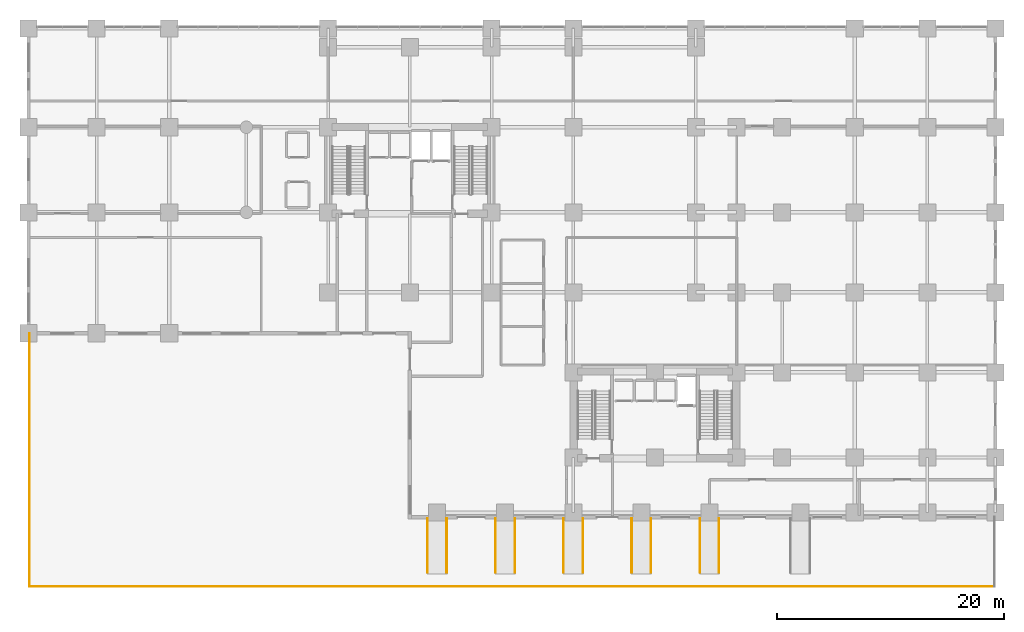
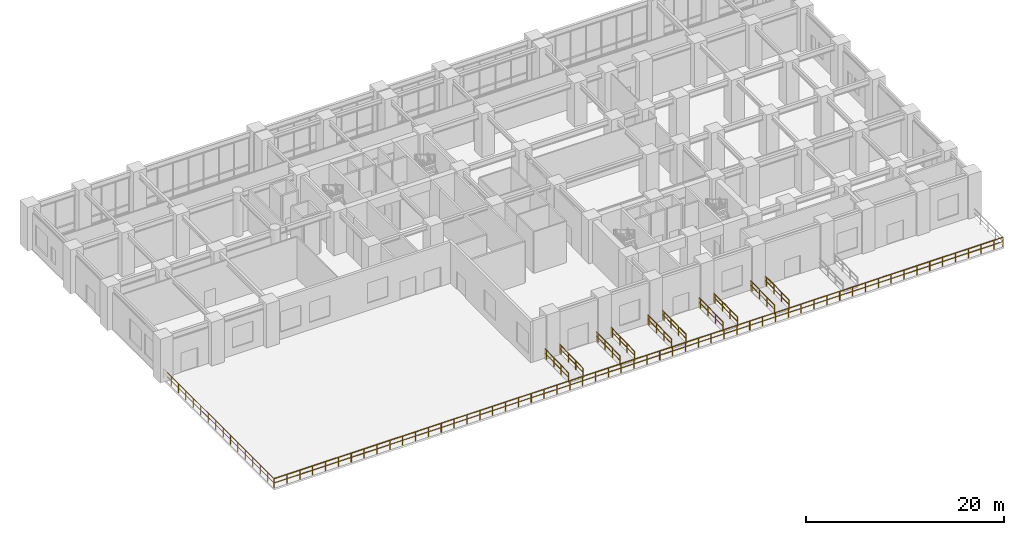
# One storey, part 19 of 22: 12 railings, 5 elements without a shape of their own.
"""IFC4 building model written with IfcOpenShell, lengths in metres."""

from ifc_helpers import new_model, si_unit, direction, frame, origin, origin_2d, place, context, subcontext, project, spatial, rectangle, extrude, material, type_object, element, aggregate, save


model = new_model("IFC4")

# Units and contexts
model_context = context("Model", 3, precision=1e-05, world=origin(), true_north=direction((0.0, 1.0)))
body_context = subcontext(model_context, "Body", "Model", "MODEL_VIEW")
ifc_project = project(units=[si_unit("LENGTHUNIT", "METRE"), si_unit("AREAUNIT", "SQUARE_METRE"), si_unit("VOLUMEUNIT", "CUBIC_METRE"), si_unit("PLANEANGLEUNIT", "RADIAN"), si_unit("MASSUNIT", "GRAM", prefix="KILO")], contexts=[model_context])

# Site, building, storey
site_placement = place(None, origin())
site = spatial("IfcSite", under=ifc_project, at=site_placement, CompositionType="ELEMENT")
building_placement = place(site_placement, origin())
building = spatial("IfcBuilding", under=site, at=building_placement, Name="Kaliganga Portal Commons", CompositionType="ELEMENT")
storey_placement = place(building_placement, origin())
storey = spatial("IfcBuildingStorey", under=building, at=storey_placement, Name="L00", CompositionType="ELEMENT", Elevation=0.0)

# Railings
ifc_material_1 = material(Name="Laminated Safety Glass and Stainless Steel 316", Category="steel")
railing_type_1 = type_object("IfcRailingType", Name="RLG-BAL-1150", PredefinedType="BALUSTRADE", material=ifc_material_1)
railing_1_placement = place(storey_placement, frame((-11.919921875, 18.0, -0.10009765625)))
element("IfcRailing", 1, at=railing_1_placement, inside=storey, type_object=railing_type_1, Name="Terrace Guardrail L00 promenade-01-1", PredefinedType="BALUSTRADE", context=body_context, shape_type="SweptSolid", body=[
    extrude(rectangle(XDim=0.048095703125, YDim=0.048095703125, at=origin_2d()), frame((0.0, 0.0, 1.1259765625), z_axis=(0.0, -1.0, 0.0), x_axis=(1.0, 0.0, 0.0)), (0.0, 0.0, 1.0), 22.320068359375),
    extrude(rectangle(XDim=0.028076171875, YDim=0.028076171875, at=origin_2d()), frame((0.0, 0.0, 0.597900390625), z_axis=(0.0, -1.0, 0.0), x_axis=(1.0, 0.0, 0.0)), (0.0, 0.0, 1.0), 22.320068359375),
    extrude(rectangle(XDim=0.0419921875, YDim=0.0419921875, at=origin_2d()), origin(), (0.0, 0.0, 1.0), 1.101806640625),
    extrude(rectangle(XDim=0.0419921875, YDim=0.0419921875, at=origin_2d()), frame((0.0, -1.5, 0.0)), (0.0, 0.0, 1.0), 1.101806640625),
    extrude(rectangle(XDim=0.0419921875, YDim=0.0419921875, at=origin_2d()), frame((0.0, -3.0, 0.0)), (0.0, 0.0, 1.0), 1.101806640625),
    extrude(rectangle(XDim=0.0419921875, YDim=0.0419921875, at=origin_2d()), frame((0.0, -4.5, 0.0)), (0.0, 0.0, 1.0), 1.101806640625),
    extrude(rectangle(XDim=0.0419921875, YDim=0.0419921875, at=origin_2d()), frame((0.0, -6.0, 0.0)), (0.0, 0.0, 1.0), 1.101806640625),
    extrude(rectangle(XDim=0.0419921875, YDim=0.0419921875, at=origin_2d()), frame((0.0, -7.5, 0.0)), (0.0, 0.0, 1.0), 1.101806640625),
    extrude(rectangle(XDim=0.0419921875, YDim=0.0419921875, at=origin_2d()), frame((0.0, -9.0, 0.0)), (0.0, 0.0, 1.0), 1.101806640625),
    extrude(rectangle(XDim=0.0419921875, YDim=0.0419921875, at=origin_2d()), frame((0.0, -10.5, 0.0)), (0.0, 0.0, 1.0), 1.101806640625),
    extrude(rectangle(XDim=0.0419921875, YDim=0.0419921875, at=origin_2d()), frame((0.0, -12.0, 0.0)), (0.0, 0.0, 1.0), 1.101806640625),
    extrude(rectangle(XDim=0.0419921875, YDim=0.0419921875, at=origin_2d()), frame((0.0, -13.5, 0.0)), (0.0, 0.0, 1.0), 1.101806640625),
    extrude(rectangle(XDim=0.0419921875, YDim=0.0419921875, at=origin_2d()), frame((0.0, -15.0, 0.0)), (0.0, 0.0, 1.0), 1.101806640625),
    extrude(rectangle(XDim=0.0419921875, YDim=0.0419921875, at=origin_2d()), frame((0.0, -16.5, 0.0)), (0.0, 0.0, 1.0), 1.101806640625),
    extrude(rectangle(XDim=0.0419921875, YDim=0.0419921875, at=origin_2d()), frame((0.0, -18.0, 0.0)), (0.0, 0.0, 1.0), 1.101806640625),
    extrude(rectangle(XDim=0.0419921875, YDim=0.0419921875, at=origin_2d()), frame((0.0, -19.5, 0.0)), (0.0, 0.0, 1.0), 1.101806640625),
    extrude(rectangle(XDim=0.0419921875, YDim=0.0419921875, at=origin_2d()), frame((0.0, -21.0, 0.0)), (0.0, 0.0, 1.0), 1.101806640625),
    extrude(rectangle(XDim=0.0419921875, YDim=0.0419921875, at=origin_2d()), frame((0.0, -22.320068359375, 0.0)), (0.0, 0.0, 1.0), 1.101806640625),
])
railing_2_placement = place(storey_placement, frame((-11.919921875, -4.320068359375, -0.10009765625)))
element("IfcRailing", 2, at=railing_2_placement, inside=storey, type_object=railing_type_1, Name="Terrace Guardrail L00 promenade-02-1", PredefinedType="BALUSTRADE", context=body_context, shape_type="SweptSolid", body=[
    extrude(rectangle(XDim=0.048095703125, YDim=0.048095703125, at=origin_2d()), frame((0.0, 0.0, 1.1259765625), z_axis=(1.0, 0.0, 0.0), x_axis=(0.0, 1.0, 0.0)), (0.0, 0.0, 1.0), 85.0400390625),
    extrude(rectangle(XDim=0.028076171875, YDim=0.028076171875, at=origin_2d()), frame((0.0, 0.0, 0.597900390625), z_axis=(1.0, 0.0, 0.0), x_axis=(0.0, 1.0, 0.0)), (0.0, 0.0, 1.0), 85.0400390625),
    extrude(rectangle(XDim=0.0419921875, YDim=0.0419921875, at=origin_2d()), origin(), (0.0, 0.0, 1.0), 1.101806640625),
    extrude(rectangle(XDim=0.0419921875, YDim=0.0419921875, at=origin_2d()), frame((1.5, 0.0, 0.0)), (0.0, 0.0, 1.0), 1.101806640625),
    extrude(rectangle(XDim=0.0419921875, YDim=0.0419921875, at=origin_2d()), frame((3.0, 0.0, 0.0)), (0.0, 0.0, 1.0), 1.101806640625),
    extrude(rectangle(XDim=0.0419921875, YDim=0.0419921875, at=origin_2d()), frame((4.5, 0.0, 0.0)), (0.0, 0.0, 1.0), 1.101806640625),
    extrude(rectangle(XDim=0.0419921875, YDim=0.0419921875, at=origin_2d()), frame((6.0, 0.0, 0.0)), (0.0, 0.0, 1.0), 1.101806640625),
    extrude(rectangle(XDim=0.0419921875, YDim=0.0419921875, at=origin_2d()), frame((7.5, 0.0, 0.0)), (0.0, 0.0, 1.0), 1.101806640625),
    extrude(rectangle(XDim=0.0419921875, YDim=0.0419921875, at=origin_2d()), frame((9.0, 0.0, 0.0)), (0.0, 0.0, 1.0), 1.101806640625),
    extrude(rectangle(XDim=0.0419921875, YDim=0.0419921875, at=origin_2d()), frame((10.5, 0.0, 0.0)), (0.0, 0.0, 1.0), 1.101806640625),
    extrude(rectangle(XDim=0.0419921875, YDim=0.0419921875, at=origin_2d()), frame((12.0, 0.0, 0.0)), (0.0, 0.0, 1.0), 1.101806640625),
    extrude(rectangle(XDim=0.0419921875, YDim=0.0419921875, at=origin_2d()), frame((13.5, 0.0, 0.0)), (0.0, 0.0, 1.0), 1.101806640625),
    extrude(rectangle(XDim=0.0419921875, YDim=0.0419921875, at=origin_2d()), frame((15.0, 0.0, 0.0)), (0.0, 0.0, 1.0), 1.101806640625),
    extrude(rectangle(XDim=0.0419921875, YDim=0.0419921875, at=origin_2d()), frame((16.5, 0.0, 0.0)), (0.0, 0.0, 1.0), 1.101806640625),
    extrude(rectangle(XDim=0.0419921875, YDim=0.0419921875, at=origin_2d()), frame((18.0, 0.0, 0.0)), (0.0, 0.0, 1.0), 1.101806640625),
    extrude(rectangle(XDim=0.0419921875, YDim=0.0419921875, at=origin_2d()), frame((19.5, 0.0, 0.0)), (0.0, 0.0, 1.0), 1.101806640625),
    extrude(rectangle(XDim=0.0419921875, YDim=0.0419921875, at=origin_2d()), frame((21.0, 0.0, 0.0)), (0.0, 0.0, 1.0), 1.101806640625),
    extrude(rectangle(XDim=0.0419921875, YDim=0.0419921875, at=origin_2d()), frame((22.5, 0.0, 0.0)), (0.0, 0.0, 1.0), 1.101806640625),
    extrude(rectangle(XDim=0.0419921875, YDim=0.0419921875, at=origin_2d()), frame((24.0, 0.0, 0.0)), (0.0, 0.0, 1.0), 1.101806640625),
    extrude(rectangle(XDim=0.0419921875, YDim=0.0419921875, at=origin_2d()), frame((25.5, 0.0, 0.0)), (0.0, 0.0, 1.0), 1.101806640625),
    extrude(rectangle(XDim=0.0419921875, YDim=0.0419921875, at=origin_2d()), frame((27.0, 0.0, 0.0)), (0.0, 0.0, 1.0), 1.101806640625),
    extrude(rectangle(XDim=0.0419921875, YDim=0.0419921875, at=origin_2d()), frame((28.5, 0.0, 0.0)), (0.0, 0.0, 1.0), 1.101806640625),
    extrude(rectangle(XDim=0.0419921875, YDim=0.0419921875, at=origin_2d()), frame((30.0, 0.0, 0.0)), (0.0, 0.0, 1.0), 1.101806640625),
    extrude(rectangle(XDim=0.0419921875, YDim=0.0419921875, at=origin_2d()), frame((31.5, 0.0, 0.0)), (0.0, 0.0, 1.0), 1.101806640625),
    extrude(rectangle(XDim=0.0419921875, YDim=0.0419921875, at=origin_2d()), frame((33.0, 0.0, 0.0)), (0.0, 0.0, 1.0), 1.101806640625),
    extrude(rectangle(XDim=0.0419921875, YDim=0.0419921875, at=origin_2d()), frame((34.5, 0.0, 0.0)), (0.0, 0.0, 1.0), 1.101806640625),
    extrude(rectangle(XDim=0.0419921875, YDim=0.0419921875, at=origin_2d()), frame((36.0, 0.0, 0.0)), (0.0, 0.0, 1.0), 1.101806640625),
    extrude(rectangle(XDim=0.0419921875, YDim=0.0419921875, at=origin_2d()), frame((37.5, 0.0, 0.0)), (0.0, 0.0, 1.0), 1.101806640625),
    extrude(rectangle(XDim=0.0419921875, YDim=0.0419921875, at=origin_2d()), frame((39.0, 0.0, 0.0)), (0.0, 0.0, 1.0), 1.101806640625),
    extrude(rectangle(XDim=0.0419921875, YDim=0.0419921875, at=origin_2d()), frame((40.5, 0.0, 0.0)), (0.0, 0.0, 1.0), 1.101806640625),
    extrude(rectangle(XDim=0.0419921875, YDim=0.0419921875, at=origin_2d()), frame((42.0, 0.0, 0.0)), (0.0, 0.0, 1.0), 1.101806640625),
    extrude(rectangle(XDim=0.0419921875, YDim=0.0419921875, at=origin_2d()), frame((43.5, 0.0, 0.0)), (0.0, 0.0, 1.0), 1.101806640625),
    extrude(rectangle(XDim=0.0419921875, YDim=0.0419921875, at=origin_2d()), frame((45.0, 0.0, 0.0)), (0.0, 0.0, 1.0), 1.101806640625),
    extrude(rectangle(XDim=0.0419921875, YDim=0.0419921875, at=origin_2d()), frame((46.5, 0.0, 0.0)), (0.0, 0.0, 1.0), 1.101806640625),
    extrude(rectangle(XDim=0.0419921875, YDim=0.0419921875, at=origin_2d()), frame((48.0, 0.0, 0.0)), (0.0, 0.0, 1.0), 1.101806640625),
    extrude(rectangle(XDim=0.0419921875, YDim=0.0419921875, at=origin_2d()), frame((49.5, 0.0, 0.0)), (0.0, 0.0, 1.0), 1.101806640625),
    extrude(rectangle(XDim=0.0419921875, YDim=0.0419921875, at=origin_2d()), frame((51.0, 0.0, 0.0)), (0.0, 0.0, 1.0), 1.101806640625),
    extrude(rectangle(XDim=0.0419921875, YDim=0.0419921875, at=origin_2d()), frame((52.5, 0.0, 0.0)), (0.0, 0.0, 1.0), 1.101806640625),
    extrude(rectangle(XDim=0.0419921875, YDim=0.0419921875, at=origin_2d()), frame((54.0, 0.0, 0.0)), (0.0, 0.0, 1.0), 1.101806640625),
    extrude(rectangle(XDim=0.0419921875, YDim=0.0419921875, at=origin_2d()), frame((55.5, 0.0, 0.0)), (0.0, 0.0, 1.0), 1.101806640625),
    extrude(rectangle(XDim=0.0419921875, YDim=0.0419921875, at=origin_2d()), frame((57.0, 0.0, 0.0)), (0.0, 0.0, 1.0), 1.101806640625),
    extrude(rectangle(XDim=0.0419921875, YDim=0.0419921875, at=origin_2d()), frame((58.5, 0.0, 0.0)), (0.0, 0.0, 1.0), 1.101806640625),
    extrude(rectangle(XDim=0.0419921875, YDim=0.0419921875, at=origin_2d()), frame((60.0, 0.0, 0.0)), (0.0, 0.0, 1.0), 1.101806640625),
    extrude(rectangle(XDim=0.0419921875, YDim=0.0419921875, at=origin_2d()), frame((61.5, 0.0, 0.0)), (0.0, 0.0, 1.0), 1.101806640625),
    extrude(rectangle(XDim=0.0419921875, YDim=0.0419921875, at=origin_2d()), frame((63.0, 0.0, 0.0)), (0.0, 0.0, 1.0), 1.101806640625),
    extrude(rectangle(XDim=0.0419921875, YDim=0.0419921875, at=origin_2d()), frame((64.5, 0.0, 0.0)), (0.0, 0.0, 1.0), 1.101806640625),
    extrude(rectangle(XDim=0.0419921875, YDim=0.0419921875, at=origin_2d()), frame((66.0, 0.0, 0.0)), (0.0, 0.0, 1.0), 1.101806640625),
    extrude(rectangle(XDim=0.0419921875, YDim=0.0419921875, at=origin_2d()), frame((67.5, 0.0, 0.0)), (0.0, 0.0, 1.0), 1.101806640625),
    extrude(rectangle(XDim=0.0419921875, YDim=0.0419921875, at=origin_2d()), frame((69.0, 0.0, 0.0)), (0.0, 0.0, 1.0), 1.101806640625),
    extrude(rectangle(XDim=0.0419921875, YDim=0.0419921875, at=origin_2d()), frame((70.5, 0.0, 0.0)), (0.0, 0.0, 1.0), 1.101806640625),
    extrude(rectangle(XDim=0.0419921875, YDim=0.0419921875, at=origin_2d()), frame((72.0, 0.0, 0.0)), (0.0, 0.0, 1.0), 1.101806640625),
    extrude(rectangle(XDim=0.0419921875, YDim=0.0419921875, at=origin_2d()), frame((73.5, 0.0, 0.0)), (0.0, 0.0, 1.0), 1.101806640625),
    extrude(rectangle(XDim=0.0419921875, YDim=0.0419921875, at=origin_2d()), frame((75.0, 0.0, 0.0)), (0.0, 0.0, 1.0), 1.101806640625),
    extrude(rectangle(XDim=0.0419921875, YDim=0.0419921875, at=origin_2d()), frame((76.5, 0.0, 0.0)), (0.0, 0.0, 1.0), 1.101806640625),
    extrude(rectangle(XDim=0.0419921875, YDim=0.0419921875, at=origin_2d()), frame((78.0, 0.0, 0.0)), (0.0, 0.0, 1.0), 1.101806640625),
    extrude(rectangle(XDim=0.0419921875, YDim=0.0419921875, at=origin_2d()), frame((79.5, 0.0, 0.0)), (0.0, 0.0, 1.0), 1.101806640625),
    extrude(rectangle(XDim=0.0419921875, YDim=0.0419921875, at=origin_2d()), frame((81.0, 0.0, 0.0)), (0.0, 0.0, 1.0), 1.101806640625),
    extrude(rectangle(XDim=0.0419921875, YDim=0.0419921875, at=origin_2d()), frame((82.5, 0.0, 0.0)), (0.0, 0.0, 1.0), 1.101806640625),
    extrude(rectangle(XDim=0.0419921875, YDim=0.0419921875, at=origin_2d()), frame((84.0, 0.0, 0.0)), (0.0, 0.0, 1.0), 1.101806640625),
    extrude(rectangle(XDim=0.0419921875, YDim=0.0419921875, at=origin_2d()), frame((85.0400390625, 0.0, 0.0)), (0.0, 0.0, 1.0), 1.101806640625),
])

# Ramp, railings
ifc_material_2 = material(Name="Concrete C40/50", Category="concrete")
ramp_type = type_object("IfcRampType", Name="RMP-PROM-ACC", PredefinedType="STRAIGHT_RUN_RAMP", material=ifc_material_2)
ramp_1_placement = place(storey_placement, origin())
ramp_1 = element("IfcRamp", 3, at=ramp_1_placement, inside=storey, type_object=ramp_type, Name="Accessible Canal Promenade Ramp RMP-01", PredefinedType="STRAIGHT_RUN_RAMP")
ifc_material_3 = material(Name="Stainless Steel 316", Category="steel")
railing_type_2 = type_object("IfcRailingType", Name="RLG-RAMP-1150", PredefinedType="GUARDRAIL", material=ifc_material_3)
railing_3_placement = place(storey_placement, frame((23.14990234375, -3.10009765625, -0.10009765625)))
railing_3 = element("IfcRailing", 4, at=railing_3_placement, type_object=railing_type_2, Name="Promenade Ramp Handrail 01L", PredefinedType="GUARDRAIL", context=body_context, shape_type="SweptSolid", body=[
    extrude(rectangle(XDim=0.048095703125, YDim=0.048095703125, at=origin_2d()), frame((0.0, 0.0, 1.125732421875), z_axis=(0.0, 0.999782637363, 0.020848933489), x_axis=(-1.0, 0.0, 0.0)), (0.0, 0.0, 1.0), 4.801025390625),
    extrude(rectangle(XDim=0.028076171875, YDim=0.028076171875, at=origin_2d()), frame((0.0, 0.0, 0.597900390625), z_axis=(0.0, 0.999782637363, 0.020848933489), x_axis=(-1.0, 0.0, 0.0)), (0.0, 0.0, 1.0), 4.801025390625),
    extrude(rectangle(XDim=0.0419921875, YDim=0.0419921875, at=origin_2d()), origin(), (0.0, 0.0, 1.0), 1.101806640625),
    extrude(rectangle(XDim=0.0419921875, YDim=0.0419921875, at=origin_2d()), frame((0.0, 1.499755859375, 0.03125)), (0.0, 0.0, 1.0), 1.101806640625),
    extrude(rectangle(XDim=0.0419921875, YDim=0.0419921875, at=origin_2d()), frame((0.0, 2.999267578125, 0.0625)), (0.0, 0.0, 1.0), 1.101806640625),
    extrude(rectangle(XDim=0.0419921875, YDim=0.0419921875, at=origin_2d()), frame((0.0, 4.4990234375, 0.09375)), (0.0, 0.0, 1.0), 1.101806640625),
    extrude(rectangle(XDim=0.0419921875, YDim=0.0419921875, at=origin_2d()), frame((0.0, 4.800048828125, 0.10009765625)), (0.0, 0.0, 1.0), 1.101806640625),
])
railing_4_placement = place(storey_placement, frame((24.85009765625, -3.10009765625, -0.10009765625)))
railing_4 = element("IfcRailing", 5, at=railing_4_placement, type_object=railing_type_2, Name="Promenade Ramp Handrail 01R", PredefinedType="GUARDRAIL", context=body_context, shape_type="SweptSolid", body=[
    extrude(rectangle(XDim=0.048095703125, YDim=0.048095703125, at=origin_2d()), frame((0.0, 0.0, 1.125732421875), z_axis=(0.0, 0.999782637363, 0.020848933489), x_axis=(-1.0, 0.0, 0.0)), (0.0, 0.0, 1.0), 4.801025390625),
    extrude(rectangle(XDim=0.028076171875, YDim=0.028076171875, at=origin_2d()), frame((0.0, 0.0, 0.597900390625), z_axis=(0.0, 0.999782637363, 0.020848933489), x_axis=(-1.0, 0.0, 0.0)), (0.0, 0.0, 1.0), 4.801025390625),
    extrude(rectangle(XDim=0.0419921875, YDim=0.0419921875, at=origin_2d()), origin(), (0.0, 0.0, 1.0), 1.101806640625),
    extrude(rectangle(XDim=0.0419921875, YDim=0.0419921875, at=origin_2d()), frame((0.0, 1.499755859375, 0.03125)), (0.0, 0.0, 1.0), 1.101806640625),
    extrude(rectangle(XDim=0.0419921875, YDim=0.0419921875, at=origin_2d()), frame((0.0, 2.999267578125, 0.0625)), (0.0, 0.0, 1.0), 1.101806640625),
    extrude(rectangle(XDim=0.0419921875, YDim=0.0419921875, at=origin_2d()), frame((0.0, 4.4990234375, 0.09375)), (0.0, 0.0, 1.0), 1.101806640625),
    extrude(rectangle(XDim=0.0419921875, YDim=0.0419921875, at=origin_2d()), frame((0.0, 4.800048828125, 0.10009765625)), (0.0, 0.0, 1.0), 1.101806640625),
])
aggregate(ramp_1, [railing_3, railing_4])

ramp_2_placement = place(storey_placement, origin())
ramp_2 = element("IfcRamp", 6, at=ramp_2_placement, inside=storey, type_object=ramp_type, Name="Accessible Canal Promenade Ramp RMP-02", PredefinedType="STRAIGHT_RUN_RAMP")
railing_5_placement = place(storey_placement, frame((29.14990234375, -3.10009765625, -0.10009765625)))
railing_5 = element("IfcRailing", 7, at=railing_5_placement, type_object=railing_type_2, Name="Promenade Ramp Handrail 02L", PredefinedType="GUARDRAIL", context=body_context, shape_type="SweptSolid", body=[
    extrude(rectangle(XDim=0.048095703125, YDim=0.048095703125, at=origin_2d()), frame((0.0, 0.0, 1.125732421875), z_axis=(0.0, 0.999782637363, 0.020848933489), x_axis=(-1.0, 0.0, 0.0)), (0.0, 0.0, 1.0), 4.801025390625),
    extrude(rectangle(XDim=0.028076171875, YDim=0.028076171875, at=origin_2d()), frame((0.0, 0.0, 0.597900390625), z_axis=(0.0, 0.999782637363, 0.020848933489), x_axis=(-1.0, 0.0, 0.0)), (0.0, 0.0, 1.0), 4.801025390625),
    extrude(rectangle(XDim=0.0419921875, YDim=0.0419921875, at=origin_2d()), origin(), (0.0, 0.0, 1.0), 1.101806640625),
    extrude(rectangle(XDim=0.0419921875, YDim=0.0419921875, at=origin_2d()), frame((0.0, 1.499755859375, 0.03125)), (0.0, 0.0, 1.0), 1.101806640625),
    extrude(rectangle(XDim=0.0419921875, YDim=0.0419921875, at=origin_2d()), frame((0.0, 2.999267578125, 0.0625)), (0.0, 0.0, 1.0), 1.101806640625),
    extrude(rectangle(XDim=0.0419921875, YDim=0.0419921875, at=origin_2d()), frame((0.0, 4.4990234375, 0.09375)), (0.0, 0.0, 1.0), 1.101806640625),
    extrude(rectangle(XDim=0.0419921875, YDim=0.0419921875, at=origin_2d()), frame((0.0, 4.800048828125, 0.10009765625)), (0.0, 0.0, 1.0), 1.101806640625),
])
railing_6_placement = place(storey_placement, frame((30.85009765625, -3.10009765625, -0.10009765625)))
railing_6 = element("IfcRailing", 8, at=railing_6_placement, type_object=railing_type_2, Name="Promenade Ramp Handrail 02R", PredefinedType="GUARDRAIL", context=body_context, shape_type="SweptSolid", body=[
    extrude(rectangle(XDim=0.048095703125, YDim=0.048095703125, at=origin_2d()), frame((0.0, 0.0, 1.125732421875), z_axis=(0.0, 0.999782637363, 0.020848933489), x_axis=(-1.0, 0.0, 0.0)), (0.0, 0.0, 1.0), 4.801025390625),
    extrude(rectangle(XDim=0.028076171875, YDim=0.028076171875, at=origin_2d()), frame((0.0, 0.0, 0.597900390625), z_axis=(0.0, 0.999782637363, 0.020848933489), x_axis=(-1.0, 0.0, 0.0)), (0.0, 0.0, 1.0), 4.801025390625),
    extrude(rectangle(XDim=0.0419921875, YDim=0.0419921875, at=origin_2d()), origin(), (0.0, 0.0, 1.0), 1.101806640625),
    extrude(rectangle(XDim=0.0419921875, YDim=0.0419921875, at=origin_2d()), frame((0.0, 1.499755859375, 0.03125)), (0.0, 0.0, 1.0), 1.101806640625),
    extrude(rectangle(XDim=0.0419921875, YDim=0.0419921875, at=origin_2d()), frame((0.0, 2.999267578125, 0.0625)), (0.0, 0.0, 1.0), 1.101806640625),
    extrude(rectangle(XDim=0.0419921875, YDim=0.0419921875, at=origin_2d()), frame((0.0, 4.4990234375, 0.09375)), (0.0, 0.0, 1.0), 1.101806640625),
    extrude(rectangle(XDim=0.0419921875, YDim=0.0419921875, at=origin_2d()), frame((0.0, 4.800048828125, 0.10009765625)), (0.0, 0.0, 1.0), 1.101806640625),
])
aggregate(ramp_2, [railing_5, railing_6])

ramp_3_placement = place(storey_placement, origin())
ramp_3 = element("IfcRamp", 9, at=ramp_3_placement, inside=storey, type_object=ramp_type, Name="Accessible Canal Promenade Ramp RMP-03", PredefinedType="STRAIGHT_RUN_RAMP")
railing_7_placement = place(storey_placement, frame((35.14990234375, -3.10009765625, -0.10009765625)))
railing_7 = element("IfcRailing", 10, at=railing_7_placement, type_object=railing_type_2, Name="Promenade Ramp Handrail 03L", PredefinedType="GUARDRAIL", context=body_context, shape_type="SweptSolid", body=[
    extrude(rectangle(XDim=0.048095703125, YDim=0.048095703125, at=origin_2d()), frame((0.0, 0.0, 1.125732421875), z_axis=(0.0, 0.999782637363, 0.020848933489), x_axis=(-1.0, 0.0, 0.0)), (0.0, 0.0, 1.0), 4.801025390625),
    extrude(rectangle(XDim=0.028076171875, YDim=0.028076171875, at=origin_2d()), frame((0.0, 0.0, 0.597900390625), z_axis=(0.0, 0.999782637363, 0.020848933489), x_axis=(-1.0, 0.0, 0.0)), (0.0, 0.0, 1.0), 4.801025390625),
    extrude(rectangle(XDim=0.0419921875, YDim=0.0419921875, at=origin_2d()), origin(), (0.0, 0.0, 1.0), 1.101806640625),
    extrude(rectangle(XDim=0.0419921875, YDim=0.0419921875, at=origin_2d()), frame((0.0, 1.499755859375, 0.03125)), (0.0, 0.0, 1.0), 1.101806640625),
    extrude(rectangle(XDim=0.0419921875, YDim=0.0419921875, at=origin_2d()), frame((0.0, 2.999267578125, 0.0625)), (0.0, 0.0, 1.0), 1.101806640625),
    extrude(rectangle(XDim=0.0419921875, YDim=0.0419921875, at=origin_2d()), frame((0.0, 4.4990234375, 0.09375)), (0.0, 0.0, 1.0), 1.101806640625),
    extrude(rectangle(XDim=0.0419921875, YDim=0.0419921875, at=origin_2d()), frame((0.0, 4.800048828125, 0.10009765625)), (0.0, 0.0, 1.0), 1.101806640625),
])
railing_8_placement = place(storey_placement, frame((36.85009765625, -3.10009765625, -0.10009765625)))
railing_8 = element("IfcRailing", 11, at=railing_8_placement, type_object=railing_type_2, Name="Promenade Ramp Handrail 03R", PredefinedType="GUARDRAIL", context=body_context, shape_type="SweptSolid", body=[
    extrude(rectangle(XDim=0.048095703125, YDim=0.048095703125, at=origin_2d()), frame((0.0, 0.0, 1.125732421875), z_axis=(0.0, 0.999782637363, 0.020848933489), x_axis=(-1.0, 0.0, 0.0)), (0.0, 0.0, 1.0), 4.801025390625),
    extrude(rectangle(XDim=0.028076171875, YDim=0.028076171875, at=origin_2d()), frame((0.0, 0.0, 0.597900390625), z_axis=(0.0, 0.999782637363, 0.020848933489), x_axis=(-1.0, 0.0, 0.0)), (0.0, 0.0, 1.0), 4.801025390625),
    extrude(rectangle(XDim=0.0419921875, YDim=0.0419921875, at=origin_2d()), origin(), (0.0, 0.0, 1.0), 1.101806640625),
    extrude(rectangle(XDim=0.0419921875, YDim=0.0419921875, at=origin_2d()), frame((0.0, 1.499755859375, 0.03125)), (0.0, 0.0, 1.0), 1.101806640625),
    extrude(rectangle(XDim=0.0419921875, YDim=0.0419921875, at=origin_2d()), frame((0.0, 2.999267578125, 0.0625)), (0.0, 0.0, 1.0), 1.101806640625),
    extrude(rectangle(XDim=0.0419921875, YDim=0.0419921875, at=origin_2d()), frame((0.0, 4.4990234375, 0.09375)), (0.0, 0.0, 1.0), 1.101806640625),
    extrude(rectangle(XDim=0.0419921875, YDim=0.0419921875, at=origin_2d()), frame((0.0, 4.800048828125, 0.10009765625)), (0.0, 0.0, 1.0), 1.101806640625),
])
aggregate(ramp_3, [railing_7, railing_8])

ramp_4_placement = place(storey_placement, origin())
ramp_4 = element("IfcRamp", 12, at=ramp_4_placement, inside=storey, type_object=ramp_type, Name="Accessible Canal Promenade Ramp RMP-04", PredefinedType="STRAIGHT_RUN_RAMP")
railing_9_placement = place(storey_placement, frame((41.14990234375, -3.10009765625, -0.10009765625)))
railing_9 = element("IfcRailing", 13, at=railing_9_placement, type_object=railing_type_2, Name="Promenade Ramp Handrail 04L", PredefinedType="GUARDRAIL", context=body_context, shape_type="SweptSolid", body=[
    extrude(rectangle(XDim=0.048095703125, YDim=0.048095703125, at=origin_2d()), frame((0.0, 0.0, 1.125732421875), z_axis=(0.0, 0.999782637363, 0.020848933489), x_axis=(-1.0, 0.0, 0.0)), (0.0, 0.0, 1.0), 4.801025390625),
    extrude(rectangle(XDim=0.028076171875, YDim=0.028076171875, at=origin_2d()), frame((0.0, 0.0, 0.597900390625), z_axis=(0.0, 0.999782637363, 0.020848933489), x_axis=(-1.0, 0.0, 0.0)), (0.0, 0.0, 1.0), 4.801025390625),
    extrude(rectangle(XDim=0.0419921875, YDim=0.0419921875, at=origin_2d()), origin(), (0.0, 0.0, 1.0), 1.101806640625),
    extrude(rectangle(XDim=0.0419921875, YDim=0.0419921875, at=origin_2d()), frame((0.0, 1.499755859375, 0.03125)), (0.0, 0.0, 1.0), 1.101806640625),
    extrude(rectangle(XDim=0.0419921875, YDim=0.0419921875, at=origin_2d()), frame((0.0, 2.999267578125, 0.0625)), (0.0, 0.0, 1.0), 1.101806640625),
    extrude(rectangle(XDim=0.0419921875, YDim=0.0419921875, at=origin_2d()), frame((0.0, 4.4990234375, 0.09375)), (0.0, 0.0, 1.0), 1.101806640625),
    extrude(rectangle(XDim=0.0419921875, YDim=0.0419921875, at=origin_2d()), frame((0.0, 4.800048828125, 0.10009765625)), (0.0, 0.0, 1.0), 1.101806640625),
])
railing_10_placement = place(storey_placement, frame((42.85009765625, -3.10009765625, -0.10009765625)))
railing_10 = element("IfcRailing", 14, at=railing_10_placement, type_object=railing_type_2, Name="Promenade Ramp Handrail 04R", PredefinedType="GUARDRAIL", context=body_context, shape_type="SweptSolid", body=[
    extrude(rectangle(XDim=0.048095703125, YDim=0.048095703125, at=origin_2d()), frame((0.0, 0.0, 1.125732421875), z_axis=(0.0, 0.999782637363, 0.020848933489), x_axis=(-1.0, 0.0, 0.0)), (0.0, 0.0, 1.0), 4.801025390625),
    extrude(rectangle(XDim=0.028076171875, YDim=0.028076171875, at=origin_2d()), frame((0.0, 0.0, 0.597900390625), z_axis=(0.0, 0.999782637363, 0.020848933489), x_axis=(-1.0, 0.0, 0.0)), (0.0, 0.0, 1.0), 4.801025390625),
    extrude(rectangle(XDim=0.0419921875, YDim=0.0419921875, at=origin_2d()), origin(), (0.0, 0.0, 1.0), 1.101806640625),
    extrude(rectangle(XDim=0.0419921875, YDim=0.0419921875, at=origin_2d()), frame((0.0, 1.499755859375, 0.03125)), (0.0, 0.0, 1.0), 1.101806640625),
    extrude(rectangle(XDim=0.0419921875, YDim=0.0419921875, at=origin_2d()), frame((0.0, 2.999267578125, 0.0625)), (0.0, 0.0, 1.0), 1.101806640625),
    extrude(rectangle(XDim=0.0419921875, YDim=0.0419921875, at=origin_2d()), frame((0.0, 4.4990234375, 0.09375)), (0.0, 0.0, 1.0), 1.101806640625),
    extrude(rectangle(XDim=0.0419921875, YDim=0.0419921875, at=origin_2d()), frame((0.0, 4.800048828125, 0.10009765625)), (0.0, 0.0, 1.0), 1.101806640625),
])
aggregate(ramp_4, [railing_9, railing_10])

ramp_5_placement = place(storey_placement, origin())
ramp_5 = element("IfcRamp", 15, at=ramp_5_placement, inside=storey, type_object=ramp_type, Name="Accessible Canal Promenade Ramp RMP-05", PredefinedType="STRAIGHT_RUN_RAMP")
railing_11_placement = place(storey_placement, frame((47.14990234375, -3.10009765625, -0.10009765625)))
railing_11 = element("IfcRailing", 16, at=railing_11_placement, type_object=railing_type_2, Name="Promenade Ramp Handrail 05L", PredefinedType="GUARDRAIL", context=body_context, shape_type="SweptSolid", body=[
    extrude(rectangle(XDim=0.048095703125, YDim=0.048095703125, at=origin_2d()), frame((0.0, 0.0, 1.125732421875), z_axis=(0.0, 0.999782637363, 0.020848933489), x_axis=(-1.0, 0.0, 0.0)), (0.0, 0.0, 1.0), 4.801025390625),
    extrude(rectangle(XDim=0.028076171875, YDim=0.028076171875, at=origin_2d()), frame((0.0, 0.0, 0.597900390625), z_axis=(0.0, 0.999782637363, 0.020848933489), x_axis=(-1.0, 0.0, 0.0)), (0.0, 0.0, 1.0), 4.801025390625),
    extrude(rectangle(XDim=0.0419921875, YDim=0.0419921875, at=origin_2d()), origin(), (0.0, 0.0, 1.0), 1.101806640625),
    extrude(rectangle(XDim=0.0419921875, YDim=0.0419921875, at=origin_2d()), frame((0.0, 1.499755859375, 0.03125)), (0.0, 0.0, 1.0), 1.101806640625),
    extrude(rectangle(XDim=0.0419921875, YDim=0.0419921875, at=origin_2d()), frame((0.0, 2.999267578125, 0.0625)), (0.0, 0.0, 1.0), 1.101806640625),
    extrude(rectangle(XDim=0.0419921875, YDim=0.0419921875, at=origin_2d()), frame((0.0, 4.4990234375, 0.09375)), (0.0, 0.0, 1.0), 1.101806640625),
    extrude(rectangle(XDim=0.0419921875, YDim=0.0419921875, at=origin_2d()), frame((0.0, 4.800048828125, 0.10009765625)), (0.0, 0.0, 1.0), 1.101806640625),
])
railing_12_placement = place(storey_placement, frame((48.85009765625, -3.10009765625, -0.10009765625)))
railing_12 = element("IfcRailing", 17, at=railing_12_placement, type_object=railing_type_2, Name="Promenade Ramp Handrail 05R", PredefinedType="GUARDRAIL", context=body_context, shape_type="SweptSolid", body=[
    extrude(rectangle(XDim=0.048095703125, YDim=0.048095703125, at=origin_2d()), frame((0.0, 0.0, 1.125732421875), z_axis=(0.0, 0.999782637363, 0.020848933489), x_axis=(-1.0, 0.0, 0.0)), (0.0, 0.0, 1.0), 4.801025390625),
    extrude(rectangle(XDim=0.028076171875, YDim=0.028076171875, at=origin_2d()), frame((0.0, 0.0, 0.597900390625), z_axis=(0.0, 0.999782637363, 0.020848933489), x_axis=(-1.0, 0.0, 0.0)), (0.0, 0.0, 1.0), 4.801025390625),
    extrude(rectangle(XDim=0.0419921875, YDim=0.0419921875, at=origin_2d()), origin(), (0.0, 0.0, 1.0), 1.101806640625),
    extrude(rectangle(XDim=0.0419921875, YDim=0.0419921875, at=origin_2d()), frame((0.0, 1.499755859375, 0.03125)), (0.0, 0.0, 1.0), 1.101806640625),
    extrude(rectangle(XDim=0.0419921875, YDim=0.0419921875, at=origin_2d()), frame((0.0, 2.999267578125, 0.0625)), (0.0, 0.0, 1.0), 1.101806640625),
    extrude(rectangle(XDim=0.0419921875, YDim=0.0419921875, at=origin_2d()), frame((0.0, 4.4990234375, 0.09375)), (0.0, 0.0, 1.0), 1.101806640625),
    extrude(rectangle(XDim=0.0419921875, YDim=0.0419921875, at=origin_2d()), frame((0.0, 4.800048828125, 0.10009765625)), (0.0, 0.0, 1.0), 1.101806640625),
])
aggregate(ramp_5, [railing_11, railing_12])

save(model, "model.ifc")
